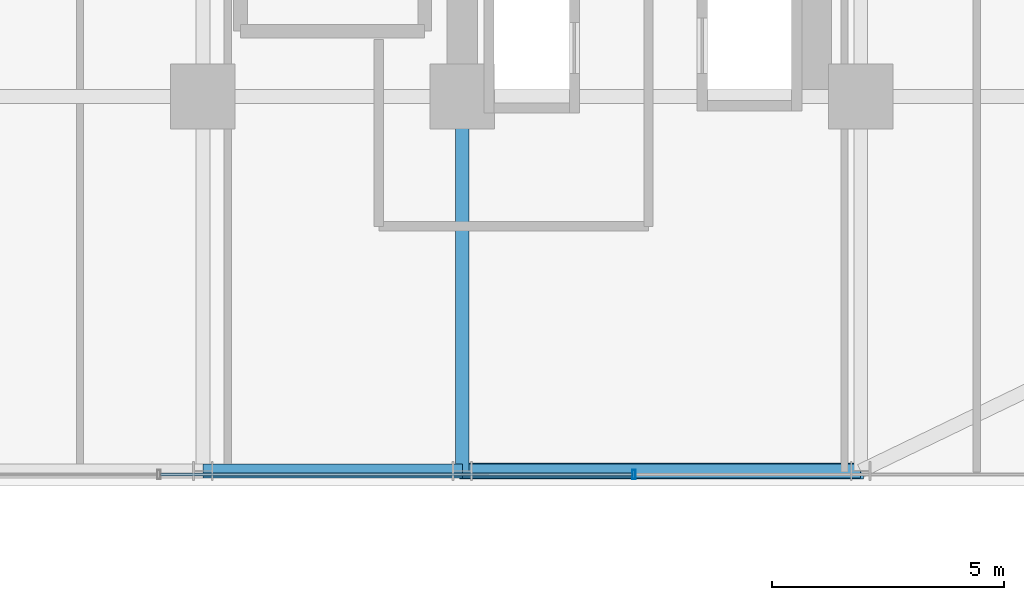
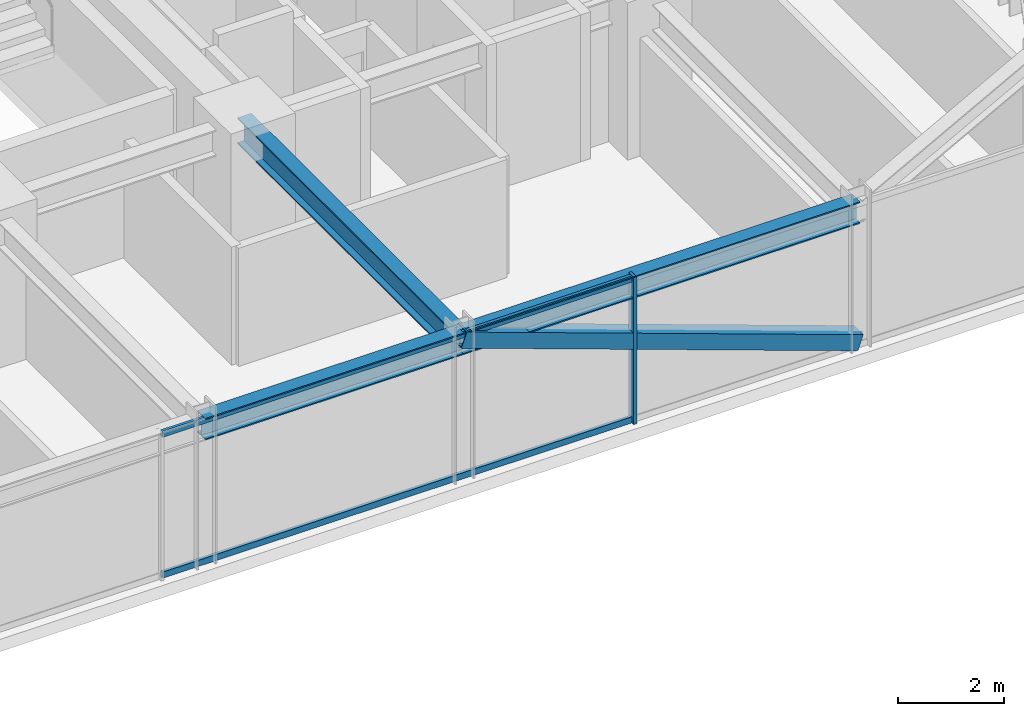
# One storey, part 12 of 37: 4 members, 3 beams, 1 element without a shape of its own.
"""IFC4 building model written with IfcOpenShell, lengths in metres."""

import ifcopenshell
import ifcopenshell.guid

model = None  # the IFC model being written
_history = None  # IfcOwnerHistory: only IFC2X3 demands one
_inside = {}  # id of a spatial element -> (the spatial element, [elements in it])
_under = {}  # id of a project, library or spatial element -> (it, [spatial elements below it])
_declared = {}  # id of a project -> (the project, [libraries it declares])
_typed = {}  # id of a type object -> (the type object, [elements of that type])
_made_of = {}  # id of a material, layer set ... -> (it, [elements and type objects made of it])


def new_model(schema):
    """Start an empty IFC model of exactly this schema.

    Asked for "IFC4X3", IfcOpenShell would pick the latest addendum, in which some entities
    have other attributes; the version numbers below select the first issue.
    IFC2X3 requires an IfcOwnerHistory on every rooted entity: one is made here for all.
    """
    global model, _history
    if schema == "IFC4X3":
        model = ifcopenshell.file(schema_version=(4, 3, 0, 0))
    else:
        model = ifcopenshell.file(schema=schema)
    _inside.clear()
    _under.clear()
    _declared.clear()
    _typed.clear()
    _made_of.clear()
    _history = None
    if model.schema == "IFC2X3":
        org = make("IfcOrganization", Name="unknown")
        user = make(
            "IfcPersonAndOrganization",
            ThePerson=make("IfcPerson", FamilyName="unknown"),
            TheOrganization=org,
        )
        app = make(
            "IfcApplication",
            ApplicationDeveloper=org,
            Version="unknown",
            ApplicationFullName="unknown",
            ApplicationIdentifier="unknown",
        )
        _history = make(
            "IfcOwnerHistory",
            OwningUser=user,
            OwningApplication=app,
            ChangeAction="ADDED",
            CreationDate=0,
        )
    return model


def make(cls, **values):
    """One entity of the class cls with the attributes given. An attribute that is None is left unset."""
    return model.create_entity(
        cls, **{name: value for name, value in values.items() if value is not None}
    )


def rooted(cls, **values):
    """An entity with a GlobalId (a new one), such as an element, a storey or a relation."""
    return make(cls, GlobalId=ifcopenshell.guid.new(), OwnerHistory=_history, **values)


def si_unit(unit_type, name, prefix=None):
    """IfcSIUnit, for example si_unit("LENGTHUNIT", "METRE", prefix="MILLI")."""
    return make("IfcSIUnit", UnitType=unit_type, Prefix=prefix, Name=name)


def assignment(units):
    """IfcUnitAssignment: the units of a project."""
    return None if units is None else make("IfcUnitAssignment", Units=units)


def point(xyz):
    """IfcCartesianPoint."""
    return None if xyz is None else make("IfcCartesianPoint", Coordinates=xyz)


def direction(xyz):
    """IfcDirection."""
    return None if xyz is None else make("IfcDirection", DirectionRatios=xyz)


def frame(location, z_axis=None, x_axis=None):
    """IfcAxis2Placement3D, a coordinate frame: its origin and axes. An axis left out is left unset."""
    return make(
        "IfcAxis2Placement3D",
        Location=point(location),
        Axis=direction(z_axis),
        RefDirection=direction(x_axis),
    )


def frame_2d(location, x_axis=None):
    """IfcAxis2Placement2D, a coordinate frame in the plane: its origin and x axis."""
    return make(
        "IfcAxis2Placement2D", Location=point(location), RefDirection=direction(x_axis)
    )


def origin():
    """The frame at (0, 0, 0) with its axes left unset."""
    return frame((0.0, 0.0, 0.0))


def origin_2d():
    """The frame at (0, 0) in the plane with its x axis left unset."""
    return frame_2d((0.0, 0.0))


def place(relative_to, where):
    """IfcLocalPlacement: puts the frame where relative to a parent placement (None: the world)."""
    return make(
        "IfcLocalPlacement", PlacementRelTo=relative_to, RelativePlacement=where
    )


def context(
    kind, dimensions, precision=None, world=None, true_north=None, identifier=None
):
    """IfcGeometricRepresentationContext, for example the 3D "Model" context."""
    return make(
        "IfcGeometricRepresentationContext",
        ContextIdentifier=identifier,
        ContextType=kind,
        CoordinateSpaceDimension=dimensions,
        Precision=precision,
        WorldCoordinateSystem=world,
        TrueNorth=true_north,
    )


def subcontext(parent, identifier, kind, view, scale=None):
    """IfcGeometricRepresentationSubContext, for example "Body" below "Model"."""
    return make(
        "IfcGeometricRepresentationSubContext",
        ContextIdentifier=identifier,
        ContextType=kind,
        ParentContext=parent,
        TargetScale=scale,
        TargetView=view,
    )


def project(units=None, contexts=None):
    """IfcProject with its units and contexts."""
    return rooted(
        "IfcProject",
        Name="project",
        RepresentationContexts=contexts,
        UnitsInContext=assignment(units),
    )


def spatial(cls, under=None, at=None, **own):
    """A site, building, storey or space (cls), placed at a placement, below another one or the project."""
    s = rooted(cls, ObjectPlacement=at, **own)
    if under is not None:
        _under.setdefault(under.id(), (under, []))[1].append(s)
    return s


def profile(cls, at=None, kind="AREA", **sizes):
    """A parametric profile (cls). Its sizes go by their IFC names, for example OverallWidth=200.0."""
    return make(cls, ProfileType=kind, Position=at, **sizes)


def hollow_rectangle(**sizes):
    """IfcRectangleHollowProfileDef."""
    return profile("IfcRectangleHollowProfileDef", **sizes)


def i_section(**sizes):
    """IfcIShapeProfileDef."""
    return profile("IfcIShapeProfileDef", **sizes)


def extrude(swept, where, along, depth):
    """IfcExtrudedAreaSolid: the profile swept, set in the frame where, extruded along a direction by depth."""
    return make(
        "IfcExtrudedAreaSolid",
        SweptArea=swept,
        Position=where,
        ExtrudedDirection=direction(along),
        Depth=depth,
    )


def shape(context_of_items, identifier, shape_type, items):
    """IfcShapeRepresentation: the items that make up one representation, for example the "Body"."""
    return make(
        "IfcShapeRepresentation",
        ContextOfItems=context_of_items,
        RepresentationIdentifier=identifier,
        RepresentationType=shape_type,
        Items=items,
    )


def source(mapping_origin, context_of_items, identifier, shape_type, items):
    """IfcRepresentationMap: a shape defined once, which mapped items show again and again."""
    return make(
        "IfcRepresentationMap",
        MappingOrigin=mapping_origin,
        MappedRepresentation=shape(context_of_items, identifier, shape_type, items),
    )


def transform(
    local_origin,
    x_axis=None,
    y_axis=None,
    z_axis=None,
    scale=None,
    scale2=None,
    scale3=None,
    uniform=True,
):
    """IfcCartesianTransformationOperator3D, or its non-uniform kind. x_axis, y_axis, z_axis: its Axis1, 2, 3."""
    if uniform:
        return make(
            "IfcCartesianTransformationOperator3D",
            Axis1=direction(x_axis),
            Axis2=direction(y_axis),
            LocalOrigin=point(local_origin),
            Scale=scale,
            Axis3=direction(z_axis),
        )
    return make(
        "IfcCartesianTransformationOperator3DnonUniform",
        Axis1=direction(x_axis),
        Axis2=direction(y_axis),
        LocalOrigin=point(local_origin),
        Scale=scale,
        Axis3=direction(z_axis),
        Scale2=scale2,
        Scale3=scale3,
    )


def mapped(mapping_source, mapping_target):
    """IfcMappedItem: shows the shape of a source again, moved by a transform."""
    return make(
        "IfcMappedItem", MappingSource=mapping_source, MappingTarget=mapping_target
    )


def material(Name=None, Category=None):
    """IfcMaterial."""
    return make("IfcMaterial", Name=Name, Category=Category)


def material_profile(
    of_material, cross_section, Name=None, Category=None, Priority=None
):
    """IfcMaterialProfile: a cross section and its material."""
    return make(
        "IfcMaterialProfile",
        Name=Name,
        Material=of_material,
        Profile=cross_section,
        Priority=Priority,
        Category=Category,
    )


def profile_set(profiles, Name=None, composite=None):
    """IfcMaterialProfileSet."""
    return make(
        "IfcMaterialProfileSet",
        Name=Name,
        MaterialProfiles=profiles,
        CompositeProfile=composite,
    )


def made_of(thing, what):
    """Note that an element or type object is made of a material, layer set ...; save() writes the relation."""
    if what is not None:
        _made_of.setdefault(what.id(), (what, []))[1].append(thing)
    return thing


def type_object(cls, material=None, **own):
    """A type object (cls), such as IfcWallType, which elements share."""
    return made_of(rooted(cls, **own), material)


def element(
    cls,
    number,
    at=None,
    inside=None,
    cuts=None,
    type_object=None,
    material=None,
    context=None,
    identifier="Body",
    shape_type=None,
    held_by="IfcProductDefinitionShape",
    body=None,
    shapes=None,
    **own,
):
    """One element of the class cls, such as IfcWall. Its Tag is "e" and its number.

    at: its placement. inside: the storey or other place that contains it. cuts: it is an
    opening in that element (IfcRelVoidsElement). A single representation is given by context,
    identifier, shape_type and body (its items); several are given by shapes. held_by: the class
    of the entity that holds the representations. save() writes the other relations.
    """
    e = rooted(cls, Tag="e%d" % number, ObjectPlacement=at, **own)
    if body is not None:
        shapes = [shape(context, identifier, shape_type, body)]
    if shapes is not None:
        e.Representation = make(held_by, Representations=shapes)
    if inside is not None:
        _inside.setdefault(inside.id(), (inside, []))[1].append(e)
    if cuts is not None:
        rooted(
            "IfcRelVoidsElement", RelatingBuildingElement=cuts, RelatedOpeningElement=e
        )
    if type_object is not None:
        _typed.setdefault(type_object.id(), (type_object, []))[1].append(e)
    return made_of(e, material)


def aggregate(whole, parts):
    """IfcRelAggregates: a whole, such as a stair, and the parts it consists of."""
    return rooted("IfcRelAggregates", RelatingObject=whole, RelatedObjects=parts)


def save(model, path):
    """Write the relations noted so far, then the file.

    IfcRelAggregates (storeys below a building ...), IfcRelContainedInSpatialStructure (elements
    in a storey), IfcRelDefinesByType, IfcRelAssociatesMaterial and IfcRelDeclares: one each for
    every whole, place, type object, material and project.
    """
    for whole, parts in _under.values():
        aggregate(whole, parts)
    for where, things in _inside.values():
        rooted(
            "IfcRelContainedInSpatialStructure",
            RelatedElements=things,
            RelatingStructure=where,
        )
    for kind, things in _typed.values():
        rooted("IfcRelDefinesByType", RelatedObjects=things, RelatingType=kind)
    for what, things in _made_of.values():
        rooted("IfcRelAssociatesMaterial", RelatedObjects=things, RelatingMaterial=what)
    for by, libraries in _declared.values():
        rooted("IfcRelDeclares", RelatingContext=by, RelatedDefinitions=libraries)
    model.write(path)


model = new_model("IFC4")

# Units and contexts
model_context = context("Model", 3, precision=1e-05, world=origin(), true_north=direction((0.0, 1.0)))
body_context = subcontext(model_context, "Body", "Model", "MODEL_VIEW")
ifc_project = project(units=[si_unit("LENGTHUNIT", "METRE"), si_unit("AREAUNIT", "SQUARE_METRE"), si_unit("VOLUMEUNIT", "CUBIC_METRE"), si_unit("PLANEANGLEUNIT", "RADIAN"), si_unit("MASSUNIT", "GRAM", prefix="KILO")], contexts=[model_context])

# Site, building, storey
site_placement = place(None, origin())
site = spatial("IfcSite", under=ifc_project, at=site_placement, CompositionType="ELEMENT")
building_placement = place(site_placement, origin())
building = spatial("IfcBuilding", under=site, at=building_placement, Name="Nahalor Promenade Grand Hotel", CompositionType="ELEMENT")
storey_placement = place(building_placement, frame((0.0, 0.0, 65.25)))
storey = spatial("IfcBuildingStorey", under=building, at=storey_placement, Name="L15", CompositionType="ELEMENT", Elevation=65.25)

# Beams
ifc_material_1 = material(Name="Steel S355JR", Category="steel")
ifc_material_profile_1 = material_profile(ifc_material_1, i_section(OverallWidth=0.3, OverallDepth=0.5, WebThickness=0.0145, FlangeThickness=0.028, at=origin_2d()), Name="HEB 500")
ifc_profile_set_1 = profile_set([ifc_material_profile_1], Name="Steel S355JR")
beam_type_1 = type_object("IfcBeamType", Name="Beam-Spandrel-HEB500", PredefinedType="SPANDREL", material=ifc_profile_set_1)
shared_shape_1 = source(origin(), body_context, "Body", "SweptSolid", [
    extrude(i_section(OverallWidth=0.3, OverallDepth=0.5, WebThickness=0.0145, FlangeThickness=0.028, at=origin_2d()), origin(), (0.0, 0.0, 1.0), 8.60009765625),
])
beam_1_placement = place(storey_placement, frame((8.39990234375, -25.080078125, 3.1201171875), z_axis=(1.0, 0.0, 0.0), x_axis=(0.0, 1.0, 0.0)))
element("IfcBeam", 1, at=beam_1_placement, inside=storey, type_object=beam_type_1, Name="BM-L15-SP-S-4", PredefinedType="SPANDREL", context=body_context, shape_type="MappedRepresentation", body=[
    mapped(shared_shape_1, transform((0.0, 0.0, 0.0), scale=1.0)),
])
shared_shape_2 = source(origin(), body_context, "Body", "SweptSolid", [
    extrude(i_section(OverallWidth=0.3, OverallDepth=0.5, WebThickness=0.0145, FlangeThickness=0.028, at=origin_2d()), origin(), (0.0, 0.0, 1.0), 5.599853515625),
])
beam_2_placement = place(storey_placement, frame((2.800048828125, -25.080078125, 3.1201171875), z_axis=(1.0, 0.0, 0.0), x_axis=(0.0, 1.0, 0.0)))
element("IfcBeam", 2, at=beam_2_placement, inside=storey, type_object=beam_type_1, Name="BM-L15-SP-S-3", PredefinedType="SPANDREL", context=body_context, shape_type="MappedRepresentation", body=[
    mapped(shared_shape_2, transform((0.0, 0.0, 0.0), scale=1.0)),
])
ifc_material_profile_2 = material_profile(ifc_material_1, i_section(OverallWidth=0.3, OverallDepth=0.6, WebThickness=0.0155, FlangeThickness=0.03, at=origin_2d()), Name="HEB 600")
ifc_profile_set_2 = profile_set([ifc_material_profile_2], Name="Steel S355JR")
beam_type_2 = type_object("IfcBeamType", Name="Beam-Girder-HEB600", PredefinedType="BEAM", material=ifc_profile_set_2)
shared_shape_3 = source(origin(), body_context, "Body", "SweptSolid", [
    extrude(i_section(OverallWidth=0.3, OverallDepth=0.6, WebThickness=0.0155, FlangeThickness=0.03, at=origin_2d()), origin(), (0.0, 0.0, 1.0), 8.080078125),
])
beam_3_placement = place(storey_placement, frame((8.39990234375, -25.080078125, 3.070068359375), z_axis=(0.0, 1.0, 0.0), x_axis=(-1.0, 0.0, 0.0)))
element("IfcBeam", 3, at=beam_3_placement, inside=storey, type_object=beam_type_2, Name="BM-L15-GY-4-0", PredefinedType="BEAM", context=body_context, shape_type="MappedRepresentation", body=[
    mapped(shared_shape_3, transform((0.0, 0.0, 0.0), scale=1.0)),
])

# Member
ifc_material_profile_3 = material_profile(ifc_material_1, hollow_rectangle(XDim=0.35, YDim=0.35, WallThickness=0.02, at=origin_2d()), Name="SHS 350x350x20")
ifc_profile_set_3 = profile_set([ifc_material_profile_3], Name="Steel S355JR")
member_type_1 = type_object("IfcMemberType", Name="Mem-VoidBrace-SHS350", PredefinedType="BRACE", material=ifc_profile_set_3)
shared_shape_4 = source(origin(), body_context, "Body", "SweptSolid", [
    extrude(hollow_rectangle(XDim=0.35, YDim=0.35, WallThickness=0.02, at=origin_2d()), origin(), (0.0, 0.0, 1.0), 9.131591796875),
])
member_1_placement = place(storey_placement, frame((17.0, -25.080078125, 0.14990234375), z_axis=(-0.941790292179, 0.0, 0.336200900589), x_axis=(0.0, -1.0, 0.0)))
element("IfcMember", 4, at=member_1_placement, inside=storey, type_object=member_type_1, Name="EXO-L15-S-1", PredefinedType="BRACE", context=body_context, shape_type="MappedRepresentation", body=[
    mapped(shared_shape_4, transform((0.0, 0.0, 0.0), scale=1.0)),
])

# Curtain wall, members
ifc_material_2 = material(Name="Anodised Bronze Aluminium EN AW-6063 T6", Category="aluminium")
curtain_wall_type = type_object("IfcCurtainWallType", Name="CW3 Elliptical-Void Collar Unitised Curtain Wall", PredefinedType="USERDEFINED", material=ifc_material_2)
curtain_wall_placement = place(storey_placement, origin())
curtain_wall = element("IfcCurtainWall", 5, at=curtain_wall_placement, inside=storey, type_object=curtain_wall_type, Name="L15 Curtain Wall CW-L15-S-3", ObjectType="UNITISED_CURTAIN_WALL", PredefinedType="USERDEFINED")
ifc_material_profile_4 = material_profile(ifc_material_2, hollow_rectangle(XDim=0.07, YDim=0.14, WallThickness=0.004, at=origin_2d()), Name="CWT 70x140x4")
ifc_profile_set_4 = profile_set([ifc_material_profile_4], Name="Anodised Bronze Aluminium EN AW-6063 T6")
member_type_2 = type_object("IfcMemberType", Name="CWT3 Void Collar Transom 70x140", PredefinedType="USERDEFINED", material=ifc_profile_set_4)
shared_shape_5 = source(origin(), body_context, "Body", "SweptSolid", [
    extrude(hollow_rectangle(XDim=0.07, YDim=0.14, WallThickness=0.004, at=origin_2d()), origin(), (0.0, 0.0, 1.0), 10.183349609375),
])
member_2_placement = place(storey_placement, frame((1.888427734375, -25.159912109375, 0.070068359375), z_axis=(1.0, 0.0, 0.0), x_axis=(0.0, 1.0, 0.0)))
member_2 = element("IfcMember", 6, at=member_2_placement, type_object=member_type_2, Name="CW-L15-S-3 Transom 1-0", ObjectType="TRANSOM", PredefinedType="USERDEFINED", context=body_context, shape_type="MappedRepresentation", body=[
    mapped(shared_shape_5, transform((0.0, 0.0, 0.0), scale=1.0)),
])
member_3_placement = place(storey_placement, frame((1.888427734375, -25.159912109375, 3.300048828125), z_axis=(1.0, 0.0, 0.0), x_axis=(0.0, 1.0, 0.0)))
member_3 = element("IfcMember", 7, at=member_3_placement, type_object=member_type_2, Name="CW-L15-S-3 Transom 1-1", ObjectType="TRANSOM", PredefinedType="USERDEFINED", context=body_context, shape_type="MappedRepresentation", body=[
    mapped(shared_shape_5, transform((0.0, 0.0, 0.0), scale=1.0)),
])
ifc_material_profile_5 = material_profile(ifc_material_2, hollow_rectangle(XDim=0.07, YDim=0.2, WallThickness=0.005, at=origin_2d()), Name="CWM 70x200x5")
ifc_profile_set_5 = profile_set([ifc_material_profile_5], Name="Anodised Bronze Aluminium EN AW-6063 T6")
member_type_3 = type_object("IfcMemberType", Name="CWM3 Void Collar Mullion 70x200", PredefinedType="MULLION", material=ifc_profile_set_5)
shared_shape_6 = source(origin(), body_context, "Body", "SweptSolid", [
    extrude(hollow_rectangle(XDim=0.07, YDim=0.2, WallThickness=0.005, at=origin_2d()), origin(), (0.0, 0.0, 1.0), 3.3701171875),
])
member_4_placement = place(storey_placement, frame((12.106689453125, -25.159912109375, 0.0), z_axis=(0.0, 0.0, 1.0), x_axis=(1.0, 0.0, 0.0)))
member_4 = element("IfcMember", 8, at=member_4_placement, type_object=member_type_3, Name="CW-L15-S-3 Mullion 2", PredefinedType="MULLION", context=body_context, shape_type="MappedRepresentation", body=[
    mapped(shared_shape_6, transform((0.0, 0.0, 0.0), scale=1.0)),
])
aggregate(curtain_wall, [member_4, member_2, member_3])

save(model, "model.ifc")
